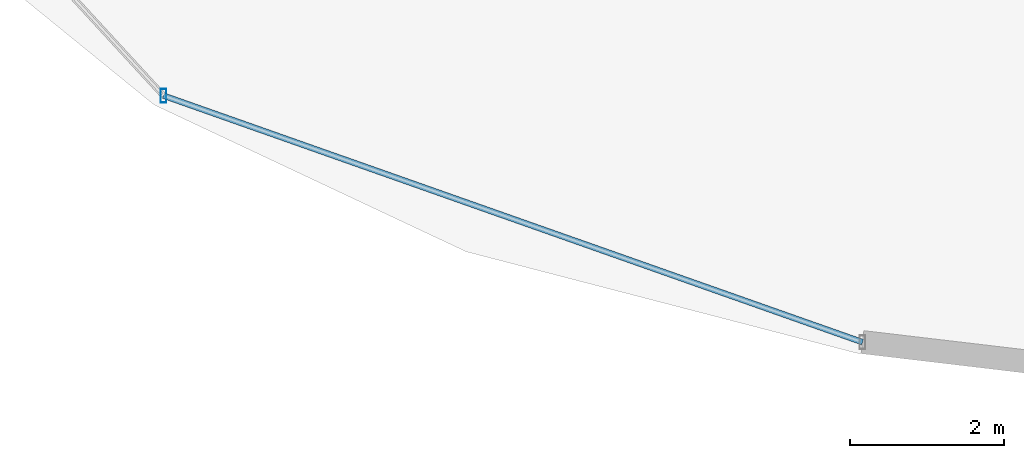
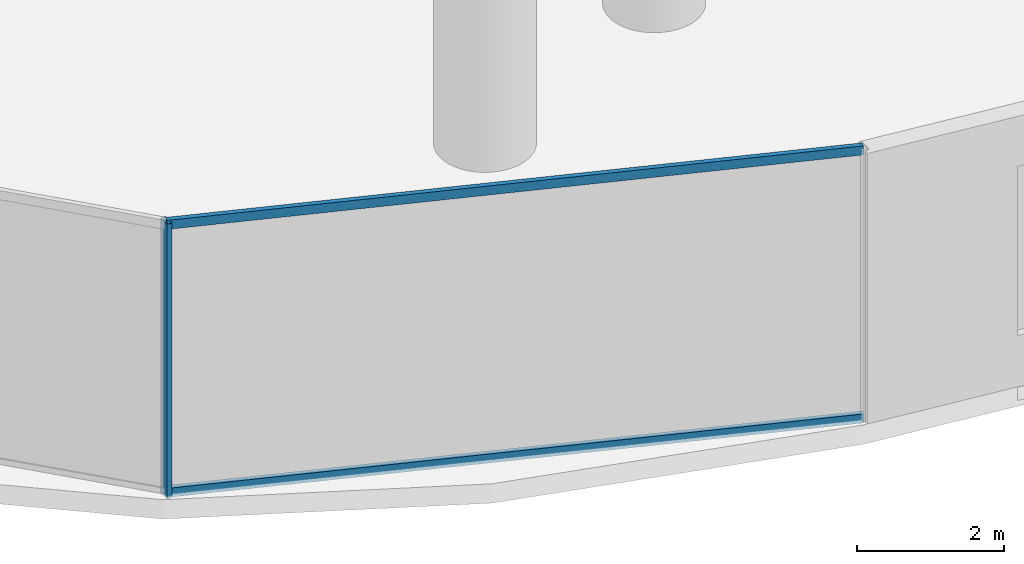
# One storey, part 2 of 30: 3 members, 1 element without a shape of its own.
"""IFC4 building model written with IfcOpenShell, lengths in metres."""

import ifcopenshell
import ifcopenshell.guid

model = None  # the IFC model being written
_history = None  # IfcOwnerHistory: only IFC2X3 demands one
_inside = {}  # id of a spatial element -> (the spatial element, [elements in it])
_under = {}  # id of a project, library or spatial element -> (it, [spatial elements below it])
_declared = {}  # id of a project -> (the project, [libraries it declares])
_typed = {}  # id of a type object -> (the type object, [elements of that type])
_made_of = {}  # id of a material, layer set ... -> (it, [elements and type objects made of it])


def new_model(schema):
    """Start an empty IFC model of exactly this schema.

    Asked for "IFC4X3", IfcOpenShell would pick the latest addendum, in which some entities
    have other attributes; the version numbers below select the first issue.
    IFC2X3 requires an IfcOwnerHistory on every rooted entity: one is made here for all.
    """
    global model, _history
    if schema == "IFC4X3":
        model = ifcopenshell.file(schema_version=(4, 3, 0, 0))
    else:
        model = ifcopenshell.file(schema=schema)
    _inside.clear()
    _under.clear()
    _declared.clear()
    _typed.clear()
    _made_of.clear()
    _history = None
    if model.schema == "IFC2X3":
        org = make("IfcOrganization", Name="unknown")
        user = make(
            "IfcPersonAndOrganization",
            ThePerson=make("IfcPerson", FamilyName="unknown"),
            TheOrganization=org,
        )
        app = make(
            "IfcApplication",
            ApplicationDeveloper=org,
            Version="unknown",
            ApplicationFullName="unknown",
            ApplicationIdentifier="unknown",
        )
        _history = make(
            "IfcOwnerHistory",
            OwningUser=user,
            OwningApplication=app,
            ChangeAction="ADDED",
            CreationDate=0,
        )
    return model


def make(cls, **values):
    """One entity of the class cls with the attributes given. An attribute that is None is left unset."""
    return model.create_entity(
        cls, **{name: value for name, value in values.items() if value is not None}
    )


def rooted(cls, **values):
    """An entity with a GlobalId (a new one), such as an element, a storey or a relation."""
    return make(cls, GlobalId=ifcopenshell.guid.new(), OwnerHistory=_history, **values)


def si_unit(unit_type, name, prefix=None):
    """IfcSIUnit, for example si_unit("LENGTHUNIT", "METRE", prefix="MILLI")."""
    return make("IfcSIUnit", UnitType=unit_type, Prefix=prefix, Name=name)


def assignment(units):
    """IfcUnitAssignment: the units of a project."""
    return None if units is None else make("IfcUnitAssignment", Units=units)


def point(xyz):
    """IfcCartesianPoint."""
    return None if xyz is None else make("IfcCartesianPoint", Coordinates=xyz)


def direction(xyz):
    """IfcDirection."""
    return None if xyz is None else make("IfcDirection", DirectionRatios=xyz)


def frame(location, z_axis=None, x_axis=None):
    """IfcAxis2Placement3D, a coordinate frame: its origin and axes. An axis left out is left unset."""
    return make(
        "IfcAxis2Placement3D",
        Location=point(location),
        Axis=direction(z_axis),
        RefDirection=direction(x_axis),
    )


def frame_2d(location, x_axis=None):
    """IfcAxis2Placement2D, a coordinate frame in the plane: its origin and x axis."""
    return make(
        "IfcAxis2Placement2D", Location=point(location), RefDirection=direction(x_axis)
    )


def origin():
    """The frame at (0, 0, 0) with its axes left unset."""
    return frame((0.0, 0.0, 0.0))


def origin_2d():
    """The frame at (0, 0) in the plane with its x axis left unset."""
    return frame_2d((0.0, 0.0))


def place(relative_to, where):
    """IfcLocalPlacement: puts the frame where relative to a parent placement (None: the world)."""
    return make(
        "IfcLocalPlacement", PlacementRelTo=relative_to, RelativePlacement=where
    )


def context(
    kind, dimensions, precision=None, world=None, true_north=None, identifier=None
):
    """IfcGeometricRepresentationContext, for example the 3D "Model" context."""
    return make(
        "IfcGeometricRepresentationContext",
        ContextIdentifier=identifier,
        ContextType=kind,
        CoordinateSpaceDimension=dimensions,
        Precision=precision,
        WorldCoordinateSystem=world,
        TrueNorth=true_north,
    )


def subcontext(parent, identifier, kind, view, scale=None):
    """IfcGeometricRepresentationSubContext, for example "Body" below "Model"."""
    return make(
        "IfcGeometricRepresentationSubContext",
        ContextIdentifier=identifier,
        ContextType=kind,
        ParentContext=parent,
        TargetScale=scale,
        TargetView=view,
    )


def project(units=None, contexts=None):
    """IfcProject with its units and contexts."""
    return rooted(
        "IfcProject",
        Name="project",
        RepresentationContexts=contexts,
        UnitsInContext=assignment(units),
    )


def spatial(cls, under=None, at=None, **own):
    """A site, building, storey or space (cls), placed at a placement, below another one or the project."""
    s = rooted(cls, ObjectPlacement=at, **own)
    if under is not None:
        _under.setdefault(under.id(), (under, []))[1].append(s)
    return s


def profile(cls, at=None, kind="AREA", **sizes):
    """A parametric profile (cls). Its sizes go by their IFC names, for example OverallWidth=200.0."""
    return make(cls, ProfileType=kind, Position=at, **sizes)


def hollow_rectangle(**sizes):
    """IfcRectangleHollowProfileDef."""
    return profile("IfcRectangleHollowProfileDef", **sizes)


def extrude(swept, where, along, depth):
    """IfcExtrudedAreaSolid: the profile swept, set in the frame where, extruded along a direction by depth."""
    return make(
        "IfcExtrudedAreaSolid",
        SweptArea=swept,
        Position=where,
        ExtrudedDirection=direction(along),
        Depth=depth,
    )


def shape(context_of_items, identifier, shape_type, items):
    """IfcShapeRepresentation: the items that make up one representation, for example the "Body"."""
    return make(
        "IfcShapeRepresentation",
        ContextOfItems=context_of_items,
        RepresentationIdentifier=identifier,
        RepresentationType=shape_type,
        Items=items,
    )


def material(Name=None, Category=None):
    """IfcMaterial."""
    return make("IfcMaterial", Name=Name, Category=Category)


def material_profile(
    of_material, cross_section, Name=None, Category=None, Priority=None
):
    """IfcMaterialProfile: a cross section and its material."""
    return make(
        "IfcMaterialProfile",
        Name=Name,
        Material=of_material,
        Profile=cross_section,
        Priority=Priority,
        Category=Category,
    )


def profile_set(profiles, Name=None, composite=None):
    """IfcMaterialProfileSet."""
    return make(
        "IfcMaterialProfileSet",
        Name=Name,
        MaterialProfiles=profiles,
        CompositeProfile=composite,
    )


def made_of(thing, what):
    """Note that an element or type object is made of a material, layer set ...; save() writes the relation."""
    if what is not None:
        _made_of.setdefault(what.id(), (what, []))[1].append(thing)
    return thing


def type_object(cls, material=None, **own):
    """A type object (cls), such as IfcWallType, which elements share."""
    return made_of(rooted(cls, **own), material)


def element(
    cls,
    number,
    at=None,
    inside=None,
    cuts=None,
    type_object=None,
    material=None,
    context=None,
    identifier="Body",
    shape_type=None,
    held_by="IfcProductDefinitionShape",
    body=None,
    shapes=None,
    **own,
):
    """One element of the class cls, such as IfcWall. Its Tag is "e" and its number.

    at: its placement. inside: the storey or other place that contains it. cuts: it is an
    opening in that element (IfcRelVoidsElement). A single representation is given by context,
    identifier, shape_type and body (its items); several are given by shapes. held_by: the class
    of the entity that holds the representations. save() writes the other relations.
    """
    e = rooted(cls, Tag="e%d" % number, ObjectPlacement=at, **own)
    if body is not None:
        shapes = [shape(context, identifier, shape_type, body)]
    if shapes is not None:
        e.Representation = make(held_by, Representations=shapes)
    if inside is not None:
        _inside.setdefault(inside.id(), (inside, []))[1].append(e)
    if cuts is not None:
        rooted(
            "IfcRelVoidsElement", RelatingBuildingElement=cuts, RelatedOpeningElement=e
        )
    if type_object is not None:
        _typed.setdefault(type_object.id(), (type_object, []))[1].append(e)
    return made_of(e, material)


def aggregate(whole, parts):
    """IfcRelAggregates: a whole, such as a stair, and the parts it consists of."""
    return rooted("IfcRelAggregates", RelatingObject=whole, RelatedObjects=parts)


def save(model, path):
    """Write the relations noted so far, then the file.

    IfcRelAggregates (storeys below a building ...), IfcRelContainedInSpatialStructure (elements
    in a storey), IfcRelDefinesByType, IfcRelAssociatesMaterial and IfcRelDeclares: one each for
    every whole, place, type object, material and project.
    """
    for whole, parts in _under.values():
        aggregate(whole, parts)
    for where, things in _inside.values():
        rooted(
            "IfcRelContainedInSpatialStructure",
            RelatedElements=things,
            RelatingStructure=where,
        )
    for kind, things in _typed.values():
        rooted("IfcRelDefinesByType", RelatedObjects=things, RelatingType=kind)
    for what, things in _made_of.values():
        rooted("IfcRelAssociatesMaterial", RelatedObjects=things, RelatingMaterial=what)
    for by, libraries in _declared.values():
        rooted("IfcRelDeclares", RelatingContext=by, RelatedDefinitions=libraries)
    model.write(path)


model = new_model("IFC4")

# Units and contexts
model_context = context("Model", 3, precision=1e-05, world=origin(), true_north=direction((0.0, 1.0)))
body_context = subcontext(model_context, "Body", "Model", "MODEL_VIEW")
ifc_project = project(units=[si_unit("LENGTHUNIT", "METRE"), si_unit("AREAUNIT", "SQUARE_METRE"), si_unit("VOLUMEUNIT", "CUBIC_METRE"), si_unit("PLANEANGLEUNIT", "RADIAN"), si_unit("MASSUNIT", "GRAM", prefix="KILO")], contexts=[model_context])

# Site, building, storey
site_placement = place(None, origin())
site = spatial("IfcSite", under=ifc_project, at=site_placement, CompositionType="ELEMENT")
building_placement = place(site_placement, origin())
building = spatial("IfcBuilding", under=site, at=building_placement, Name="Vorneva Point Tower", CompositionType="ELEMENT")
storey_placement = place(building_placement, frame((0.0, 0.0, 9.60009765625)))
storey = spatial("IfcBuildingStorey", under=building, at=storey_placement, Name="L02", CompositionType="ELEMENT", Elevation=9.60009765625)

# Curtain wall, members
ifc_material = material(Name="Pale anodised aluminium", Category="aluminium")
curtain_wall_type = type_object("IfcCurtainWallType", Name="CW-POD-SYS", PredefinedType="NOTDEFINED", material=ifc_material)
curtain_wall_placement = place(storey_placement, origin())
curtain_wall = element("IfcCurtainWall", 1, at=curtain_wall_placement, inside=storey, type_object=curtain_wall_type, Name="L02 Unitised Curtain Wall CW-L02-R03", PredefinedType="NOTDEFINED")
ifc_material_profile_1 = material_profile(ifc_material, hollow_rectangle(XDim=0.074951171875, YDim=0.179931640625, WallThickness=0.00390625, at=origin_2d()), Name="AL-MUL 180x75x4")
ifc_profile_set_1 = profile_set([ifc_material_profile_1], Name="Pale anodised aluminium")
member_type_1 = type_object("IfcMemberType", Name="CW-MUL-180", PredefinedType="MULLION", material=ifc_profile_set_1)
member_1_placement = place(storey_placement, frame((10.1787109375, 7.116943359375, -0.0400390625), z_axis=(0.0, 0.0, 1.0), x_axis=(1.0, 0.0, 0.0)))
member_1 = element("IfcMember", 2, at=member_1_placement, type_object=member_type_1, Name="CW-L02-R03 Mullion 05", PredefinedType="MULLION", context=body_context, shape_type="SweptSolid", body=[
    extrude(hollow_rectangle(XDim=0.074951171875, YDim=0.179931640625, WallThickness=0.00390625, at=origin_2d()), origin(), (0.0, 0.0, 1.0), 4.550048828125),
])
ifc_material_profile_2 = material_profile(ifc_material, hollow_rectangle(XDim=0.074951171875, YDim=0.14990234375, WallThickness=0.00390625, at=origin_2d()), Name="AL-TRN 150x75x4")
ifc_profile_set_2 = profile_set([ifc_material_profile_2], Name="Pale anodised aluminium")
member_type_2 = type_object("IfcMemberType", Name="CW-TRN-150", PredefinedType="USERDEFINED", material=ifc_profile_set_2)
member_2_placement = place(storey_placement, frame((10.1787109375, 7.116943359375, 0.02001953125), z_axis=(0.943063908654, -0.332611581569, 0.0), x_axis=(0.332611581569, 0.943063908654, 0.0)))
member_2 = element("IfcMember", 3, at=member_2_placement, type_object=member_type_2, Name="CW-L02-R03 Transom 05.1", ObjectType="TRANSOM", PredefinedType="USERDEFINED", context=body_context, shape_type="SweptSolid", body=[
    extrude(hollow_rectangle(XDim=0.074951171875, YDim=0.14990234375, WallThickness=0.00390625, at=origin_2d()), origin(), (0.0, 0.0, 1.0), 9.61474609375),
])
member_3_placement = place(storey_placement, frame((10.1787109375, 7.116943359375, 4.4599609375), z_axis=(0.943063908654, -0.332611581569, 0.0), x_axis=(0.332611581569, 0.943063908654, 0.0)))
member_3 = element("IfcMember", 4, at=member_3_placement, type_object=member_type_2, Name="CW-L02-R03 Transom 05.2", ObjectType="TRANSOM", PredefinedType="USERDEFINED", context=body_context, shape_type="SweptSolid", body=[
    extrude(hollow_rectangle(XDim=0.074951171875, YDim=0.14990234375, WallThickness=0.00390625, at=origin_2d()), origin(), (0.0, 0.0, 1.0), 9.61474609375),
])
aggregate(curtain_wall, [member_1, member_2, member_3])

save(model, "model.ifc")
